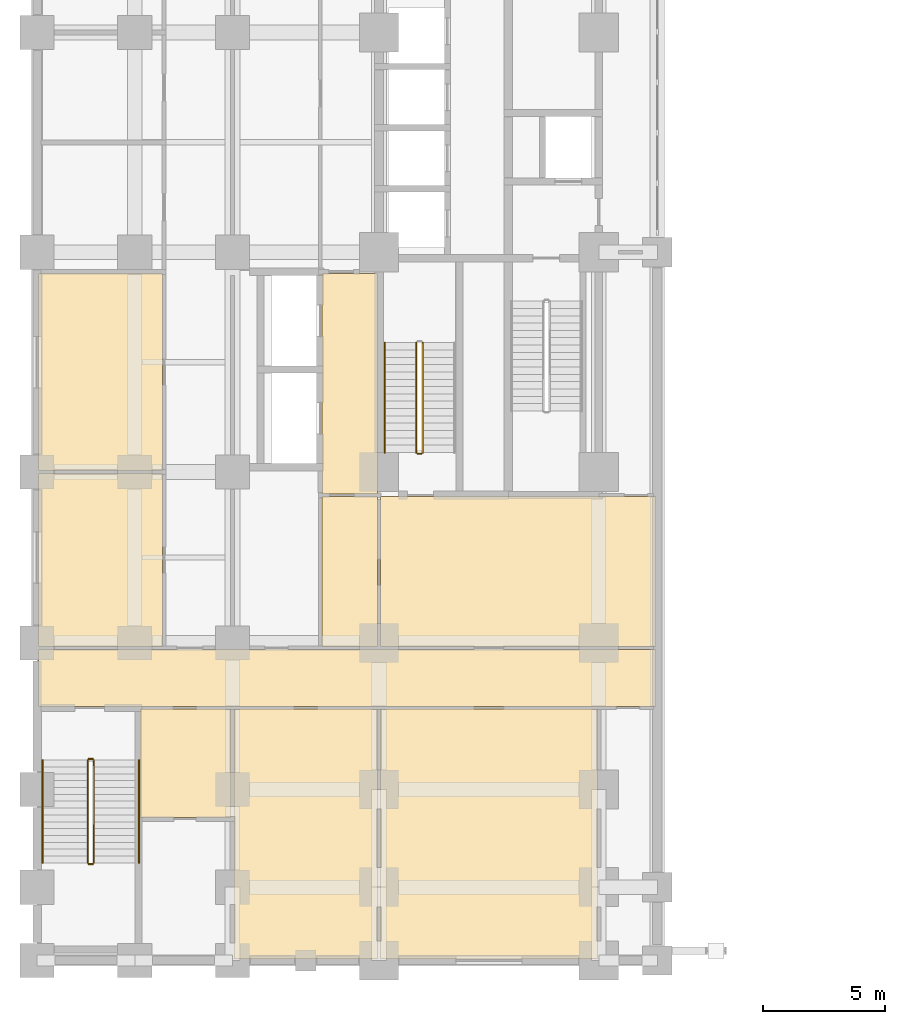
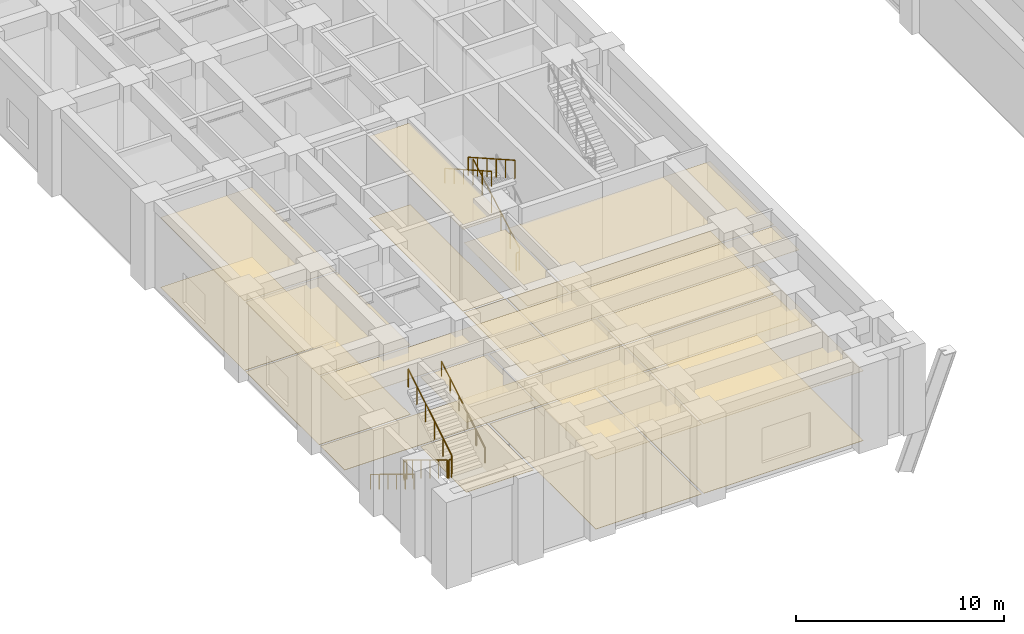
# One storey, part 18 of 23: 18 coverings, 10 railings.
"""IFC4 building model written with IfcOpenShell, lengths in metres."""

from ifc_helpers import new_model, si_unit, direction, frame, origin, origin_2d, place, context, subcontext, project, spatial, polyline, rectangle, outline, extrude, material, layer, layer_set, type_object, element, save


model = new_model("IFC4")

# Units and contexts
model_context = context("Model", 3, precision=1e-05, world=origin(), true_north=direction((0.0, 1.0)))
body_context = subcontext(model_context, "Body", "Model", "MODEL_VIEW")
ifc_project = project(units=[si_unit("LENGTHUNIT", "METRE"), si_unit("AREAUNIT", "SQUARE_METRE"), si_unit("VOLUMEUNIT", "CUBIC_METRE"), si_unit("PLANEANGLEUNIT", "RADIAN"), si_unit("MASSUNIT", "GRAM", prefix="KILO")], contexts=[model_context])

# Site, building, storey
site_placement = place(None, origin())
site = spatial("IfcSite", under=ifc_project, at=site_placement, CompositionType="ELEMENT")
building_placement = place(site_placement, origin())
building = spatial("IfcBuilding", under=site, at=building_placement, Name="Zulmaris Gate Convention Tower", CompositionType="ELEMENT")
storey_placement = place(building_placement, frame((0.0, 0.0, 10.8798828125)))
storey = spatial("IfcBuildingStorey", under=building, at=storey_placement, Name="L02", CompositionType="ELEMENT", Elevation=10.8798828125)

# Coverings
ifc_material_1 = material(Name="Mineral Fibre Acoustic Ceiling Tile")
ifc_layer_1 = layer(ifc_material_1, 0.02001953125, Name="Mineral Fibre Acoustic Ceiling Tile")
ifc_layer_set_1 = layer_set([ifc_layer_1], Name="Mineral Fibre Acoustic Ceiling Tile")
covering_type_1 = type_object("IfcCoveringType", Name="CLG-ACOUSTIC-600", PredefinedType="CEILING", material=ifc_layer_set_1)
covering_1_placement = place(storey_placement, frame((0.0, 0.0, 4.810302734375)))
element("IfcCovering", 1, at=covering_1_placement, inside=storey, type_object=covering_type_1, Name="CLG-L02-R27", PredefinedType="CEILING", context=body_context, shape_type="SweptSolid", body=[
    extrude(outline(polyline([(-22.340087890625, -9.889892578125), (-20.06005859375, -9.889892578125), (-20.06005859375, -0.860107421875), (-22.340087890625, -0.860107421875), (-22.340087890625, -9.889892578125)])), origin(), (0.0, 0.0, 1.0), 0.02001953125),
])
covering_2_placement = place(storey_placement, frame((0.0, 0.0, 4.10009765625)))
element("IfcCovering", 2, at=covering_2_placement, inside=storey, type_object=covering_type_1, Name="CLG-L02-R43", PredefinedType="CEILING", context=body_context, shape_type="SweptSolid", body=[
    extrude(outline(polyline([(-22.340087890625, -16.139892578125), (-20.06005859375, -16.139892578125), (-20.06005859375, -10.010009765625), (-22.340087890625, -10.010009765625), (-22.340087890625, -16.139892578125)])), origin(), (0.0, 0.0, 1.0), 0.02001953125),
])
covering_3_placement = place(storey_placement, frame((0.0, 0.0, 4.10009765625)))
element("IfcCovering", 3, at=covering_3_placement, inside=storey, type_object=covering_type_1, Name="CLG-L02-R46", PredefinedType="CEILING", context=body_context, shape_type="SweptSolid", body=[
    extrude(outline(polyline([(-33.93994140625, -18.590087890625), (-8.659912109375, -18.590087890625), (-8.659912109375, -16.260009765625), (-33.93994140625, -16.260009765625), (-33.93994140625, -18.590087890625)])), origin(), (0.0, 0.0, 1.0), 0.02001953125),
])
covering_4_placement = place(storey_placement, frame((0.0, 0.0, 4.10009765625)))
element("IfcCovering", 4, at=covering_4_placement, inside=storey, type_object=covering_type_1, Name="CLG-L02-R48", PredefinedType="CEILING", context=body_context, shape_type="SweptSolid", body=[
    extrude(outline(polyline([(-19.93994140625, -16.139892578125), (-8.659912109375, -16.139892578125), (-8.659912109375, -10.010009765625), (-19.93994140625, -10.010009765625), (-19.93994140625, -16.139892578125)])), origin(), (0.0, 0.0, 1.0), 0.02001953125),
])
covering_5_placement = place(storey_placement, frame((0.0, 0.0, 4.10009765625)))
element("IfcCovering", 5, at=covering_5_placement, inside=storey, type_object=covering_type_1, Name="CLG-L02-R65", PredefinedType="CEILING", context=body_context, shape_type="SweptSolid", body=[
    extrude(outline(polyline([(-33.93994140625, -16.139892578125), (-28.860107421875, -16.139892578125), (-28.860107421875, -9.06005859375), (-33.93994140625, -9.06005859375), (-33.93994140625, -16.139892578125)])), origin(), (0.0, 0.0, 1.0), 0.02001953125),
])
covering_6_placement = place(storey_placement, frame((0.0, 0.0, 4.10009765625)))
element("IfcCovering", 6, at=covering_6_placement, inside=storey, type_object=covering_type_1, Name="CLG-L02-R66", PredefinedType="CEILING", context=body_context, shape_type="SweptSolid", body=[
    extrude(outline(polyline([(-33.93994140625, -8.93994140625), (-28.860107421875, -8.93994140625), (-28.860107421875, -0.860107421875), (-33.93994140625, -0.860107421875), (-33.93994140625, -8.93994140625)])), origin(), (0.0, 0.0, 1.0), 0.02001953125),
])
covering_7_placement = place(storey_placement, frame((0.0, 0.0, 4.10009765625)))
element("IfcCovering", 7, at=covering_7_placement, inside=storey, type_object=covering_type_1, Name="CLG-L02-R77", PredefinedType="CEILING", context=body_context, shape_type="SweptSolid", body=[
    extrude(outline(polyline([(-29.7900390625, -23.139892578125), (-26.06005859375, -23.139892578125), (-26.06005859375, -18.7099609375), (-29.7900390625, -18.7099609375), (-29.7900390625, -23.139892578125)])), origin(), (0.0, 0.0, 1.0), 0.02001953125),
])
covering_8_placement = place(storey_placement, frame((0.0, 0.0, 4.10009765625)))
element("IfcCovering", 8, at=covering_8_placement, inside=storey, type_object=covering_type_1, Name="CLG-L02-R78", PredefinedType="CEILING", context=body_context, shape_type="SweptSolid", body=[
    extrude(outline(polyline([(-25.93994140625, -28.93994140625), (-20.06005859375, -28.93994140625), (-20.06005859375, -18.7099609375), (-25.93994140625, -18.7099609375), (-25.93994140625, -28.93994140625)])), origin(), (0.0, 0.0, 1.0), 0.02001953125),
])
covering_9_placement = place(storey_placement, frame((0.0, 0.0, 4.10009765625)))
element("IfcCovering", 9, at=covering_9_placement, inside=storey, type_object=covering_type_1, Name="CLG-L02-R79", PredefinedType="CEILING", context=body_context, shape_type="SweptSolid", body=[
    extrude(outline(polyline([(-19.93994140625, -28.93994140625), (-11.06005859375, -28.93994140625), (-11.06005859375, -18.7099609375), (-19.93994140625, -18.7099609375), (-19.93994140625, -28.93994140625)])), origin(), (0.0, 0.0, 1.0), 0.02001953125),
])
ifc_material_2 = material(Name="Woven Acoustic Wool Carpet Tile")
ifc_layer_2 = layer(ifc_material_2, 0.02001953125, Name="Woven Acoustic Wool Carpet Tile")
ifc_layer_set_2 = layer_set([ifc_layer_2], Name="Woven Acoustic Wool Carpet Tile")
covering_type_2 = type_object("IfcCoveringType", Name="FLR-CARPET-12", PredefinedType="FLOORING", material=ifc_layer_set_2)
covering_10_placement = place(storey_placement, origin())
element("IfcCovering", 10, at=covering_10_placement, inside=storey, type_object=covering_type_2, Name="FLR-L02-R27", PredefinedType="FLOORING", context=body_context, shape_type="SweptSolid", body=[
    extrude(outline(polyline([(-22.340087890625, -9.889892578125), (-20.06005859375, -9.889892578125), (-20.06005859375, -0.860107421875), (-22.340087890625, -0.860107421875), (-22.340087890625, -9.889892578125)])), origin(), (0.0, 0.0, 1.0), 0.02001953125),
])
covering_11_placement = place(storey_placement, origin())
element("IfcCovering", 11, at=covering_11_placement, inside=storey, type_object=covering_type_2, Name="FLR-L02-R43", PredefinedType="FLOORING", context=body_context, shape_type="SweptSolid", body=[
    extrude(outline(polyline([(-22.340087890625, -16.139892578125), (-20.06005859375, -16.139892578125), (-20.06005859375, -10.010009765625), (-22.340087890625, -10.010009765625), (-22.340087890625, -16.139892578125)])), origin(), (0.0, 0.0, 1.0), 0.02001953125),
])
covering_12_placement = place(storey_placement, origin())
element("IfcCovering", 12, at=covering_12_placement, inside=storey, type_object=covering_type_2, Name="FLR-L02-R46", PredefinedType="FLOORING", context=body_context, shape_type="SweptSolid", body=[
    extrude(outline(polyline([(-33.93994140625, -18.590087890625), (-8.659912109375, -18.590087890625), (-8.659912109375, -16.260009765625), (-33.93994140625, -16.260009765625), (-33.93994140625, -18.590087890625)])), origin(), (0.0, 0.0, 1.0), 0.02001953125),
])
covering_13_placement = place(storey_placement, origin())
element("IfcCovering", 13, at=covering_13_placement, inside=storey, type_object=covering_type_2, Name="FLR-L02-R48", PredefinedType="FLOORING", context=body_context, shape_type="SweptSolid", body=[
    extrude(outline(polyline([(-19.93994140625, -16.139892578125), (-8.659912109375, -16.139892578125), (-8.659912109375, -10.010009765625), (-19.93994140625, -10.010009765625), (-19.93994140625, -16.139892578125)])), origin(), (0.0, 0.0, 1.0), 0.02001953125),
])
covering_14_placement = place(storey_placement, origin())
element("IfcCovering", 14, at=covering_14_placement, inside=storey, type_object=covering_type_2, Name="FLR-L02-R77", PredefinedType="FLOORING", context=body_context, shape_type="SweptSolid", body=[
    extrude(outline(polyline([(-29.7900390625, -23.139892578125), (-26.06005859375, -23.139892578125), (-26.06005859375, -18.7099609375), (-29.7900390625, -18.7099609375), (-29.7900390625, -23.139892578125)])), origin(), (0.0, 0.0, 1.0), 0.02001953125),
])
ifc_material_3 = material(Name="Polished Granite Terrazzo Tile", Category="masonry")
ifc_layer_3 = layer(ifc_material_3, 0.02001953125, Name="Polished Granite Terrazzo Tile")
ifc_layer_set_3 = layer_set([ifc_layer_3], Name="Polished Granite Terrazzo Tile")
covering_type_3 = type_object("IfcCoveringType", Name="FLR-TERRAZZO-30", PredefinedType="FLOORING", material=ifc_layer_set_3)
covering_15_placement = place(storey_placement, origin())
element("IfcCovering", 15, at=covering_15_placement, inside=storey, type_object=covering_type_3, Name="FLR-L02-R79", PredefinedType="FLOORING", context=body_context, shape_type="SweptSolid", body=[
    extrude(outline(polyline([(-19.93994140625, -28.93994140625), (-11.06005859375, -28.93994140625), (-11.06005859375, -18.7099609375), (-19.93994140625, -18.7099609375), (-19.93994140625, -28.93994140625)])), origin(), (0.0, 0.0, 1.0), 0.02001953125),
])
ifc_material_4 = material(Name="Engineered Teak Parquet Flooring")
ifc_layer_4 = layer(ifc_material_4, 0.02001953125, Name="Engineered Teak Parquet Flooring")
ifc_layer_set_4 = layer_set([ifc_layer_4], Name="Engineered Teak Parquet Flooring")
covering_type_4 = type_object("IfcCoveringType", Name="FLR-TIMBER-18", PredefinedType="FLOORING", material=ifc_layer_set_4)
covering_16_placement = place(storey_placement, origin())
element("IfcCovering", 16, at=covering_16_placement, inside=storey, type_object=covering_type_4, Name="FLR-L02-R65", PredefinedType="FLOORING", context=body_context, shape_type="SweptSolid", body=[
    extrude(outline(polyline([(-33.93994140625, -16.139892578125), (-28.860107421875, -16.139892578125), (-28.860107421875, -9.06005859375), (-33.93994140625, -9.06005859375), (-33.93994140625, -16.139892578125)])), origin(), (0.0, 0.0, 1.0), 0.02001953125),
])
covering_17_placement = place(storey_placement, origin())
element("IfcCovering", 17, at=covering_17_placement, inside=storey, type_object=covering_type_4, Name="FLR-L02-R66", PredefinedType="FLOORING", context=body_context, shape_type="SweptSolid", body=[
    extrude(outline(polyline([(-33.93994140625, -8.93994140625), (-28.860107421875, -8.93994140625), (-28.860107421875, -0.860107421875), (-33.93994140625, -0.860107421875), (-33.93994140625, -8.93994140625)])), origin(), (0.0, 0.0, 1.0), 0.02001953125),
])
covering_18_placement = place(storey_placement, origin())
element("IfcCovering", 18, at=covering_18_placement, inside=storey, type_object=covering_type_4, Name="FLR-L02-R78", PredefinedType="FLOORING", context=body_context, shape_type="SweptSolid", body=[
    extrude(outline(polyline([(-25.93994140625, -28.93994140625), (-20.06005859375, -28.93994140625), (-20.06005859375, -18.7099609375), (-25.93994140625, -18.7099609375), (-25.93994140625, -28.93994140625)])), origin(), (0.0, 0.0, 1.0), 0.02001953125),
])

# Railings
ifc_material_5 = material(Name="Painted Galvanised Steel", Category="steel")
railing_type_1 = type_object("IfcRailingType", Name="RL-STG-1150", PredefinedType="GUARDRAIL", material=ifc_material_5)
railing_1_placement = place(storey_placement, frame((-18.2099609375, -8.199951171875, 0.169921875)))
element("IfcRailing", 19, at=railing_1_placement, inside=storey, type_object=railing_type_1, Name="L02 ST-3 stair guard 1", PredefinedType="GUARDRAIL", context=body_context, shape_type="SweptSolid", body=[
    extrude(rectangle(XDim=0.048095703125, YDim=0.048095703125, at=origin_2d()), frame((0.0, 0.0, 1.076171875), z_axis=(0.0, 0.869997889882, 0.493055444754), x_axis=(-1.0, 0.0, 0.0)), (0.0, 0.0, 1.0), 5.17236328125),
    extrude(rectangle(XDim=0.0419921875, YDim=0.0419921875, at=origin_2d()), origin(), (0.0, 0.0, 1.0), 1.052001953125),
    extrude(rectangle(XDim=0.0419921875, YDim=0.0419921875, at=origin_2d()), frame((0.0, 0.89990234375, 0.510009765625)), (0.0, 0.0, 1.0), 1.052001953125),
    extrude(rectangle(XDim=0.0419921875, YDim=0.0419921875, at=origin_2d()), frame((0.0, 1.800048828125, 1.02001953125)), (0.0, 0.0, 1.0), 1.052001953125),
    extrude(rectangle(XDim=0.0419921875, YDim=0.0419921875, at=origin_2d()), frame((0.0, 2.699951171875, 1.5302734375)), (0.0, 0.0, 1.0), 1.052001953125),
    extrude(rectangle(XDim=0.0419921875, YDim=0.0419921875, at=origin_2d()), frame((0.0, 3.60009765625, 2.040283203125)), (0.0, 0.0, 1.0), 1.052001953125),
    extrude(rectangle(XDim=0.0419921875, YDim=0.0419921875, at=origin_2d()), frame((0.0, 4.5, 2.55029296875)), (0.0, 0.0, 1.0), 1.052001953125),
])
railing_2_placement = place(storey_placement, frame((-18.469970703125, -3.699951171875, 2.89013671875)))
element("IfcRailing", 20, at=railing_2_placement, inside=storey, type_object=railing_type_1, Name="L02 ST-3 stair guard 3", PredefinedType="GUARDRAIL", context=body_context, shape_type="SweptSolid", body=[
    extrude(rectangle(XDim=0.048095703125, YDim=0.048095703125, at=origin_2d()), frame((0.0, 0.0, 1.076171875), z_axis=(0.0, -0.870018136573, 0.493019717692), x_axis=(1.0, 0.0, 0.0)), (0.0, 0.0, 1.0), 5.17236328125),
    extrude(rectangle(XDim=0.0419921875, YDim=0.0419921875, at=origin_2d()), origin(), (0.0, 0.0, 1.0), 1.052001953125),
    extrude(rectangle(XDim=0.0419921875, YDim=0.0419921875, at=origin_2d()), frame((0.0, -0.89990234375, 0.510009765625)), (0.0, 0.0, 1.0), 1.052001953125),
    extrude(rectangle(XDim=0.0419921875, YDim=0.0419921875, at=origin_2d()), frame((0.0, -1.800048828125, 1.02001953125)), (0.0, 0.0, 1.0), 1.052001953125),
    extrude(rectangle(XDim=0.0419921875, YDim=0.0419921875, at=origin_2d()), frame((0.0, -2.699951171875, 1.530029296875)), (0.0, 0.0, 1.0), 1.052001953125),
    extrude(rectangle(XDim=0.0419921875, YDim=0.0419921875, at=origin_2d()), frame((0.0, -3.60009765625, 2.0400390625)), (0.0, 0.0, 1.0), 1.052001953125),
    extrude(rectangle(XDim=0.0419921875, YDim=0.0419921875, at=origin_2d()), frame((0.0, -4.5, 2.550048828125)), (0.0, 0.0, 1.0), 1.052001953125),
])
railing_3_placement = place(storey_placement, frame((-18.260009765625, -8.25, 0.0)))
element("IfcRailing", 21, at=railing_3_placement, inside=storey, type_object=railing_type_1, Name="L02 ST-3 stair guard 4", PredefinedType="GUARDRAIL", context=body_context, shape_type="SweptSolid", body=[
    extrude(rectangle(XDim=0.048095703125, YDim=0.048095703125, at=origin_2d()), frame((0.0, 0.0, 1.076171875), z_axis=(-1.0, 0.0, 0.0), x_axis=(0.0, -1.0, 0.0)), (0.0, 0.0, 1.0), 0.159912109375),
    extrude(rectangle(XDim=0.0419921875, YDim=0.0419921875, at=origin_2d()), origin(), (0.0, 0.0, 1.0), 1.052001953125),
    extrude(rectangle(XDim=0.0419921875, YDim=0.0419921875, at=origin_2d()), frame((-0.159912109375, 0.0, 0.0)), (0.0, 0.0, 1.0), 1.052001953125),
])
railing_4_placement = place(storey_placement, frame((-31.929931640625, -20.800048828125, 0.169921875)))
element("IfcRailing", 22, at=railing_4_placement, inside=storey, type_object=railing_type_1, Name="L02 ST-4 stair guard 1", PredefinedType="GUARDRAIL", context=body_context, shape_type="SweptSolid", body=[
    extrude(rectangle(XDim=0.048095703125, YDim=0.048095703125, at=origin_2d()), frame((0.0, 0.0, 1.076171875), z_axis=(0.0, -0.854758387255, 0.519026106683), x_axis=(1.0, 0.0, 0.0)), (0.0, 0.0, 1.0), 4.91357421875),
    extrude(rectangle(XDim=0.0419921875, YDim=0.0419921875, at=origin_2d()), origin(), (0.0, 0.0, 1.0), 1.052001953125),
    extrude(rectangle(XDim=0.0419921875, YDim=0.0419921875, at=origin_2d()), frame((0.0, -0.840087890625, 0.510009765625)), (0.0, 0.0, 1.0), 1.052001953125),
    extrude(rectangle(XDim=0.0419921875, YDim=0.0419921875, at=origin_2d()), frame((0.0, -1.679931640625, 1.02001953125)), (0.0, 0.0, 1.0), 1.052001953125),
    extrude(rectangle(XDim=0.0419921875, YDim=0.0419921875, at=origin_2d()), frame((0.0, -2.52001953125, 1.5302734375)), (0.0, 0.0, 1.0), 1.052001953125),
    extrude(rectangle(XDim=0.0419921875, YDim=0.0419921875, at=origin_2d()), frame((0.0, -3.35986328125, 2.040283203125)), (0.0, 0.0, 1.0), 1.052001953125),
    extrude(rectangle(XDim=0.0419921875, YDim=0.0419921875, at=origin_2d()), frame((0.0, -4.199951171875, 2.55029296875)), (0.0, 0.0, 1.0), 1.052001953125),
])
railing_5_placement = place(storey_placement, frame((-31.8798828125, -25.050048828125, 2.72021484375)))
element("IfcRailing", 23, at=railing_5_placement, inside=storey, type_object=railing_type_1, Name="L02 ST-4 stair guard 2", PredefinedType="GUARDRAIL", context=body_context, shape_type="SweptSolid", body=[
    extrude(rectangle(XDim=0.048095703125, YDim=0.048095703125, at=origin_2d()), frame((0.0, 0.0, 1.076171875), z_axis=(1.0, 0.0, 0.0), x_axis=(0.0, 1.0, 0.0)), (0.0, 0.0, 1.0), 0.14990234375),
    extrude(rectangle(XDim=0.0419921875, YDim=0.0419921875, at=origin_2d()), origin(), (0.0, 0.0, 1.0), 1.052001953125),
    extrude(rectangle(XDim=0.0419921875, YDim=0.0419921875, at=origin_2d()), frame((0.14990234375, 0.0, 0.0)), (0.0, 0.0, 1.0), 1.052001953125),
])
railing_6_placement = place(storey_placement, frame((-31.679931640625, -25.0, 2.89013671875)))
element("IfcRailing", 24, at=railing_6_placement, inside=storey, type_object=railing_type_1, Name="L02 ST-4 stair guard 3", PredefinedType="GUARDRAIL", context=body_context, shape_type="SweptSolid", body=[
    extrude(rectangle(XDim=0.048095703125, YDim=0.048095703125, at=origin_2d()), frame((0.0, 0.0, 1.076171875), z_axis=(0.0, 0.854780430106, 0.518989803665), x_axis=(-1.0, 0.0, 0.0)), (0.0, 0.0, 1.0), 4.91357421875),
    extrude(rectangle(XDim=0.0419921875, YDim=0.0419921875, at=origin_2d()), origin(), (0.0, 0.0, 1.0), 1.052001953125),
    extrude(rectangle(XDim=0.0419921875, YDim=0.0419921875, at=origin_2d()), frame((0.0, 0.840087890625, 0.510009765625)), (0.0, 0.0, 1.0), 1.052001953125),
    extrude(rectangle(XDim=0.0419921875, YDim=0.0419921875, at=origin_2d()), frame((0.0, 1.679931640625, 1.02001953125)), (0.0, 0.0, 1.0), 1.052001953125),
    extrude(rectangle(XDim=0.0419921875, YDim=0.0419921875, at=origin_2d()), frame((0.0, 2.52001953125, 1.530029296875)), (0.0, 0.0, 1.0), 1.052001953125),
    extrude(rectangle(XDim=0.0419921875, YDim=0.0419921875, at=origin_2d()), frame((0.0, 3.35986328125, 2.0400390625)), (0.0, 0.0, 1.0), 1.052001953125),
    extrude(rectangle(XDim=0.0419921875, YDim=0.0419921875, at=origin_2d()), frame((0.0, 4.199951171875, 2.550048828125)), (0.0, 0.0, 1.0), 1.052001953125),
])
railing_7_placement = place(storey_placement, frame((-31.8798828125, -20.75, 0.0)))
element("IfcRailing", 25, at=railing_7_placement, inside=storey, type_object=railing_type_1, Name="L02 ST-4 stair guard 4", PredefinedType="GUARDRAIL", context=body_context, shape_type="SweptSolid", body=[
    extrude(rectangle(XDim=0.048095703125, YDim=0.048095703125, at=origin_2d()), frame((0.0, 0.0, 1.076171875), z_axis=(1.0, 0.0, 0.0), x_axis=(0.0, 1.0, 0.0)), (0.0, 0.0, 1.0), 0.14990234375),
    extrude(rectangle(XDim=0.0419921875, YDim=0.0419921875, at=origin_2d()), origin(), (0.0, 0.0, 1.0), 1.052001953125),
    extrude(rectangle(XDim=0.0419921875, YDim=0.0419921875, at=origin_2d()), frame((0.14990234375, 0.0, 0.0)), (0.0, 0.0, 1.0), 1.052001953125),
])
ifc_material_6 = material(Name="Brushed Stainless Steel", Category="steel")
railing_type_2 = type_object("IfcRailingType", Name="RL-STH-900", PredefinedType="HANDRAIL", material=ifc_material_6)
railing_8_placement = place(storey_placement, frame((-19.77001953125, -3.699951171875, 2.89013671875)))
element("IfcRailing", 26, at=railing_8_placement, inside=storey, type_object=railing_type_2, Name="L02 ST-3 stair handrail 2", PredefinedType="HANDRAIL", context=body_context, shape_type="SweptSolid", body=[
    extrude(rectangle(XDim=0.048095703125, YDim=0.048095703125, at=origin_2d()), frame((0.0, 0.0, 0.8759765625), z_axis=(0.0, -0.870018136573, 0.493019717692), x_axis=(1.0, 0.0, 0.0)), (0.0, 0.0, 1.0), 5.17236328125),
    extrude(rectangle(XDim=0.0419921875, YDim=0.0419921875, at=origin_2d()), origin(), (0.0, 0.0, 1.0), 0.851806640625),
    extrude(rectangle(XDim=0.0419921875, YDim=0.0419921875, at=origin_2d()), frame((0.0, -0.89990234375, 0.510009765625)), (0.0, 0.0, 1.0), 0.851806640625),
    extrude(rectangle(XDim=0.0419921875, YDim=0.0419921875, at=origin_2d()), frame((0.0, -1.800048828125, 1.02001953125)), (0.0, 0.0, 1.0), 0.851806640625),
    extrude(rectangle(XDim=0.0419921875, YDim=0.0419921875, at=origin_2d()), frame((0.0, -2.699951171875, 1.530029296875)), (0.0, 0.0, 1.0), 0.851806640625),
    extrude(rectangle(XDim=0.0419921875, YDim=0.0419921875, at=origin_2d()), frame((0.0, -3.60009765625, 2.0400390625)), (0.0, 0.0, 1.0), 0.851806640625),
    extrude(rectangle(XDim=0.0419921875, YDim=0.0419921875, at=origin_2d()), frame((0.0, -4.5, 2.550048828125)), (0.0, 0.0, 1.0), 0.851806640625),
])
railing_9_placement = place(storey_placement, frame((-33.780029296875, -20.800048828125, 0.169921875)))
element("IfcRailing", 27, at=railing_9_placement, inside=storey, type_object=railing_type_2, Name="L02 ST-4 stair handrail 1", PredefinedType="HANDRAIL", context=body_context, shape_type="SweptSolid", body=[
    extrude(rectangle(XDim=0.048095703125, YDim=0.048095703125, at=origin_2d()), frame((0.0, 0.0, 0.8759765625), z_axis=(0.0, -0.854758387255, 0.519026106683), x_axis=(1.0, 0.0, 0.0)), (0.0, 0.0, 1.0), 4.91357421875),
    extrude(rectangle(XDim=0.0419921875, YDim=0.0419921875, at=origin_2d()), origin(), (0.0, 0.0, 1.0), 0.851806640625),
    extrude(rectangle(XDim=0.0419921875, YDim=0.0419921875, at=origin_2d()), frame((0.0, -0.840087890625, 0.510009765625)), (0.0, 0.0, 1.0), 0.851806640625),
    extrude(rectangle(XDim=0.0419921875, YDim=0.0419921875, at=origin_2d()), frame((0.0, -1.679931640625, 1.02001953125)), (0.0, 0.0, 1.0), 0.851806640625),
    extrude(rectangle(XDim=0.0419921875, YDim=0.0419921875, at=origin_2d()), frame((0.0, -2.52001953125, 1.5302734375)), (0.0, 0.0, 1.0), 0.851806640625),
    extrude(rectangle(XDim=0.0419921875, YDim=0.0419921875, at=origin_2d()), frame((0.0, -3.35986328125, 2.040283203125)), (0.0, 0.0, 1.0), 0.851806640625),
    extrude(rectangle(XDim=0.0419921875, YDim=0.0419921875, at=origin_2d()), frame((0.0, -4.199951171875, 2.55029296875)), (0.0, 0.0, 1.0), 0.851806640625),
])
railing_10_placement = place(storey_placement, frame((-29.830078125, -25.0, 2.89013671875)))
element("IfcRailing", 28, at=railing_10_placement, inside=storey, type_object=railing_type_2, Name="L02 ST-4 stair handrail 2", PredefinedType="HANDRAIL", context=body_context, shape_type="SweptSolid", body=[
    extrude(rectangle(XDim=0.048095703125, YDim=0.048095703125, at=origin_2d()), frame((0.0, 0.0, 0.8759765625), z_axis=(0.0, 0.854780430106, 0.518989803665), x_axis=(-1.0, 0.0, 0.0)), (0.0, 0.0, 1.0), 4.91357421875),
    extrude(rectangle(XDim=0.0419921875, YDim=0.0419921875, at=origin_2d()), origin(), (0.0, 0.0, 1.0), 0.851806640625),
    extrude(rectangle(XDim=0.0419921875, YDim=0.0419921875, at=origin_2d()), frame((0.0, 0.840087890625, 0.510009765625)), (0.0, 0.0, 1.0), 0.851806640625),
    extrude(rectangle(XDim=0.0419921875, YDim=0.0419921875, at=origin_2d()), frame((0.0, 1.679931640625, 1.02001953125)), (0.0, 0.0, 1.0), 0.851806640625),
    extrude(rectangle(XDim=0.0419921875, YDim=0.0419921875, at=origin_2d()), frame((0.0, 2.52001953125, 1.530029296875)), (0.0, 0.0, 1.0), 0.851806640625),
    extrude(rectangle(XDim=0.0419921875, YDim=0.0419921875, at=origin_2d()), frame((0.0, 3.35986328125, 2.0400390625)), (0.0, 0.0, 1.0), 0.851806640625),
    extrude(rectangle(XDim=0.0419921875, YDim=0.0419921875, at=origin_2d()), frame((0.0, 4.199951171875, 2.550048828125)), (0.0, 0.0, 1.0), 0.851806640625),
])

save(model, "model.ifc")
